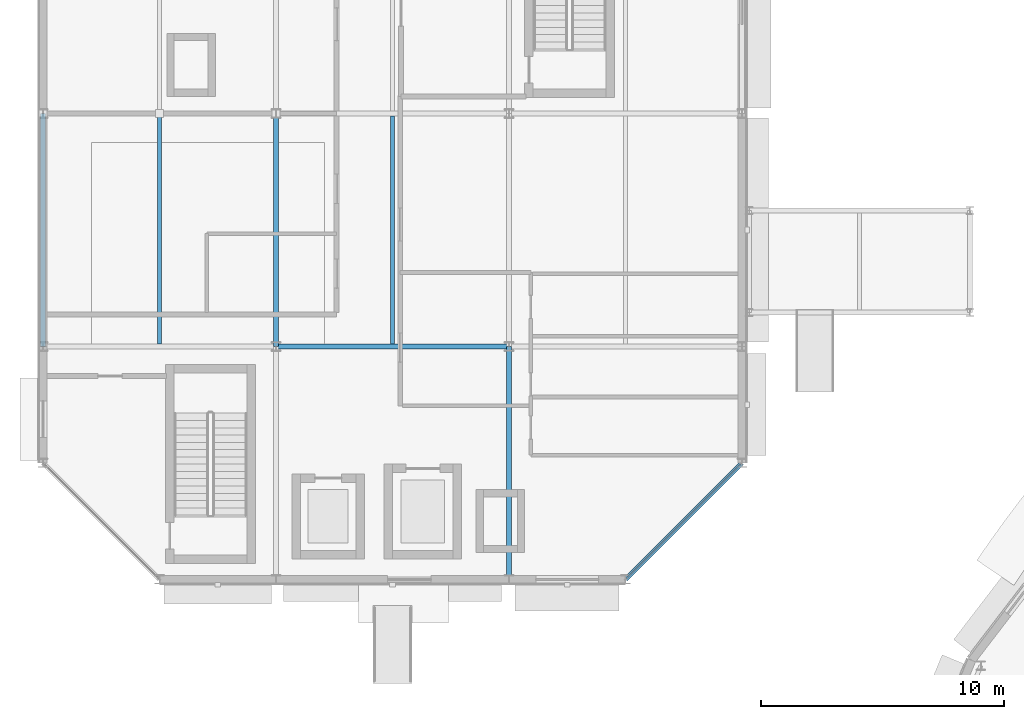
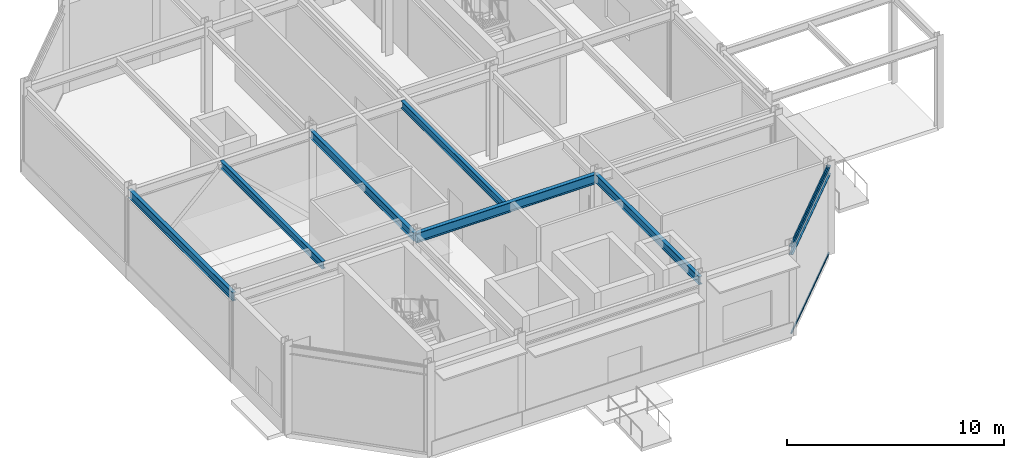
# One storey, part 62 of 168: 7 beams, 2 members, 1 element without a shape of its own.
"""IFC4 building model written with IfcOpenShell, lengths in metres."""

from ifc_helpers import new_model, si_unit, direction, frame, origin, origin_2d, place, context, subcontext, project, spatial, hollow_rectangle, i_section, extrude, material, material_profile, profile_set, type_object, element, aggregate, save


model = new_model("IFC4")

# Units and contexts
model_context = context("Model", 3, precision=1e-05, world=origin(), true_north=direction((0.0, 1.0)))
body_context = subcontext(model_context, "Body", "Model", "MODEL_VIEW")
ifc_project = project(units=[si_unit("LENGTHUNIT", "METRE"), si_unit("AREAUNIT", "SQUARE_METRE"), si_unit("VOLUMEUNIT", "CUBIC_METRE"), si_unit("PLANEANGLEUNIT", "RADIAN"), si_unit("MASSUNIT", "GRAM", prefix="KILO")], contexts=[model_context])

# Site, building, storey
site_placement = place(None, origin())
site = spatial("IfcSite", under=ifc_project, at=site_placement, CompositionType="ELEMENT")
building_placement = place(site_placement, origin())
building = spatial("IfcBuilding", under=site, at=building_placement, Name="Almandine Court Research Institute", CompositionType="ELEMENT")
storey_placement = place(building_placement, origin())
storey = spatial("IfcBuildingStorey", under=building, at=storey_placement, Name="L00", CompositionType="ELEMENT", Elevation=0.0)

# Beams
ifc_material_1 = material(Name="Steel ASTM A992 Grade 50", Category="steel")
ifc_material_profile_1 = material_profile(ifc_material_1, i_section(OverallWidth=0.18994140625, OverallDepth=0.45703125, WebThickness=0.009033203125, FlangeThickness=0.014892578125, at=origin_2d()), Name="W460x74")
ifc_profile_set_1 = profile_set([ifc_material_profile_1], Name="Steel ASTM A992 Grade 50")
beam_type_1 = type_object("IfcBeamType", Name="Beam-B-01", PredefinedType="BEAM", material=ifc_profile_set_1)
beam_1_placement = place(storey_placement, frame((25.199951171875, 84.0, 4.700927734375), z_axis=(0.0, 1.0, 0.0), x_axis=(-1.0, 0.0, 0.0)))
element("IfcBeam", 1, at=beam_1_placement, inside=storey, type_object=beam_type_1, Name="L00 V3 Primary Y Girder", PredefinedType="BEAM", context=body_context, shape_type="SweptSolid", body=[
    extrude(i_section(OverallWidth=0.18994140625, OverallDepth=0.45703125, WebThickness=0.009033203125, FlangeThickness=0.014892578125, at=origin_2d()), origin(), (0.0, 0.0, 1.0), 9.60009765625),
])
beam_2_placement = place(storey_placement, frame((15.60009765625, 93.60009765625, 4.700927734375), z_axis=(0.0, 1.0, 0.0), x_axis=(-1.0, 0.0, 0.0)))
element("IfcBeam", 2, at=beam_2_placement, inside=storey, type_object=beam_type_1, Name="L00 V3 Primary Y Girder", PredefinedType="BEAM", context=body_context, shape_type="SweptSolid", body=[
    extrude(i_section(OverallWidth=0.18994140625, OverallDepth=0.45703125, WebThickness=0.009033203125, FlangeThickness=0.014892578125, at=origin_2d()), origin(), (0.0, 0.0, 1.0), 9.599853515625),
])
ifc_material_profile_2 = material_profile(ifc_material_1, i_section(OverallWidth=0.178955078125, OverallDepth=0.409912109375, WebThickness=0.009033203125, FlangeThickness=0.013916015625, at=origin_2d()), Name="W410x67")
ifc_profile_set_2 = profile_set([ifc_material_profile_2], Name="Steel ASTM A992 Grade 50")
beam_type_2 = type_object("IfcBeamType", Name="Beam-B-02", PredefinedType="JOIST", material=ifc_profile_set_2)
for number, where, z_axis, x_axis, name in (
    (3, (10.800048828125, 93.702880859375, 4.72509765625), (0.0, 1.0, 0.0), (-1.0, 0.0, 0.0), "L00 V3 Composite Secondary Beam"),
    (4, (20.39990234375, 93.702880859375, 4.72509765625), (0.0, 1.0, 0.0), (-1.0, 0.0, 0.0), "L00 V3 Composite Secondary Beam"),
):
    element("IfcBeam", number, at=place(storey_placement, frame(where, z_axis=z_axis, x_axis=x_axis)), inside=storey, type_object=beam_type_2, Name=name, PredefinedType="JOIST", context=body_context, shape_type="SweptSolid", body=[
        extrude(i_section(OverallWidth=0.178955078125, OverallDepth=0.409912109375, WebThickness=0.009033203125, FlangeThickness=0.013916015625, at=origin_2d()), origin(), (0.0, 0.0, 1.0), 9.39404296875),
    ])
ifc_material_profile_3 = material_profile(ifc_material_1, i_section(OverallWidth=0.2109375, OverallDepth=0.5390625, WebThickness=0.011962890625, FlangeThickness=0.01904296875, at=origin_2d()), Name="W530x109")
ifc_profile_set_3 = profile_set([ifc_material_profile_3], Name="Steel ASTM A992 Grade 50")
beam_type_3 = type_object("IfcBeamType", Name="Beam-G-04", PredefinedType="BEAM", material=ifc_profile_set_3)
beam_3_placement = place(storey_placement, frame((15.60009765625, 93.60009765625, 4.659912109375), z_axis=(1.0, 0.0, 0.0), x_axis=(0.0, 1.0, 0.0)))
element("IfcBeam", 5, at=beam_3_placement, inside=storey, type_object=beam_type_3, Name="L00 V3 Primary X Girder", PredefinedType="BEAM", context=body_context, shape_type="SweptSolid", body=[
    extrude(i_section(OverallWidth=0.2109375, OverallDepth=0.5390625, WebThickness=0.011962890625, FlangeThickness=0.01904296875, at=origin_2d()), origin(), (0.0, 0.0, 1.0), 9.599853515625),
])
ifc_material_profile_4 = material_profile(ifc_material_1, i_section(OverallWidth=0.193115234375, OverallDepth=0.466064453125, WebThickness=0.010986328125, FlangeThickness=0.01904296875, at=origin_2d()), Name="W460x97")
ifc_profile_set_4 = profile_set([ifc_material_profile_4], Name="Steel ASTM A992 Grade 50")
beam_type_4 = type_object("IfcBeamType", Name="Beam-G-06-E", PredefinedType="SPANDREL", material=ifc_profile_set_4)
beam_4_placement = place(storey_placement, frame((6.0, 93.60009765625, 4.697021484375), z_axis=(0.0, 1.0, 0.0), x_axis=(-1.0, 0.0, 0.0)))
element("IfcBeam", 6, at=beam_4_placement, inside=storey, type_object=beam_type_4, Name="L00 V3 Primary Y Girder", PredefinedType="SPANDREL", context=body_context, shape_type="SweptSolid", body=[
    extrude(i_section(OverallWidth=0.193115234375, OverallDepth=0.466064453125, WebThickness=0.010986328125, FlangeThickness=0.01904296875, at=origin_2d()), origin(), (0.0, 0.0, 1.0), 9.599853515625),
])
beam_5_placement = place(storey_placement, frame((30.0, 84.0, 4.697021484375), z_axis=(0.707106781187, 0.707106781187, 0.0), x_axis=(-0.707106781187, 0.707106781187, 0.0)))
element("IfcBeam", 7, at=beam_5_placement, inside=storey, type_object=beam_type_4, Name="L00 V3 Octagonal Chamfer Spandrel", PredefinedType="SPANDREL", context=body_context, shape_type="SweptSolid", body=[
    extrude(i_section(OverallWidth=0.193115234375, OverallDepth=0.466064453125, WebThickness=0.010986328125, FlangeThickness=0.01904296875, at=origin_2d()), origin(), (0.0, 0.0, 1.0), 6.788330078125),
])

# Curtain wall, members
ifc_material_2 = material(Name="Unitised Curtain Wall Framing and Solar Glazing", Category="glass")
curtain_wall_type = type_object("IfcCurtainWallType", Name="CW-CWG-04", PredefinedType="USERDEFINED", material=ifc_material_2)
curtain_wall_placement = place(storey_placement, origin())
curtain_wall = element("IfcCurtainWall", 8, at=curtain_wall_placement, inside=storey, type_object=curtain_wall_type, Name="L00 Cleanroom SE Chamfer Glazing", ObjectType="UNITISED GLAZING", PredefinedType="USERDEFINED")
ifc_material_3 = material(Name="Anodised Aluminium AW-6063-T6", Category="aluminium")
ifc_material_profile_5 = material_profile(ifc_material_3, hollow_rectangle(XDim=0.06005859375, YDim=0.110107421875, WallThickness=0.00390625, at=origin_2d()), Name="ALU RHS 60x110x4")
ifc_profile_set_5 = profile_set([ifc_material_profile_5], Name="Anodised Aluminium AW-6063-T6")
member_type = type_object("IfcMemberType", Name="CWTrn-60x110", PredefinedType="NOTDEFINED", material=ifc_profile_set_5)
member_1_placement = place(storey_placement, frame((34.753662109375, 88.753662109375, 0.030029296875), z_axis=(-0.707106781187, -0.707106781187, 0.0), x_axis=(0.707106781187, -0.707106781187, 0.0)))
member_1 = element("IfcMember", 9, at=member_1_placement, type_object=member_type, Name="CWG-04 transom 1.1", ObjectType="TRANSOM", PredefinedType="USERDEFINED", context=body_context, shape_type="SweptSolid", body=[
    extrude(hollow_rectangle(XDim=0.06005859375, YDim=0.110107421875, WallThickness=0.00390625, at=origin_2d()), origin(), (0.0, 0.0, 1.0), 6.656982421875),
])
member_2_placement = place(storey_placement, frame((34.753662109375, 88.753662109375, 4.89990234375), z_axis=(-0.707106781187, -0.707106781187, 0.0), x_axis=(0.707106781187, -0.707106781187, 0.0)))
member_2 = element("IfcMember", 10, at=member_2_placement, type_object=member_type, Name="CWG-04 transom 1.2", ObjectType="TRANSOM", PredefinedType="USERDEFINED", context=body_context, shape_type="SweptSolid", body=[
    extrude(hollow_rectangle(XDim=0.06005859375, YDim=0.110107421875, WallThickness=0.00390625, at=origin_2d()), origin(), (0.0, 0.0, 1.0), 6.656982421875),
])
aggregate(curtain_wall, [member_1, member_2])

save(model, "model.ifc")
